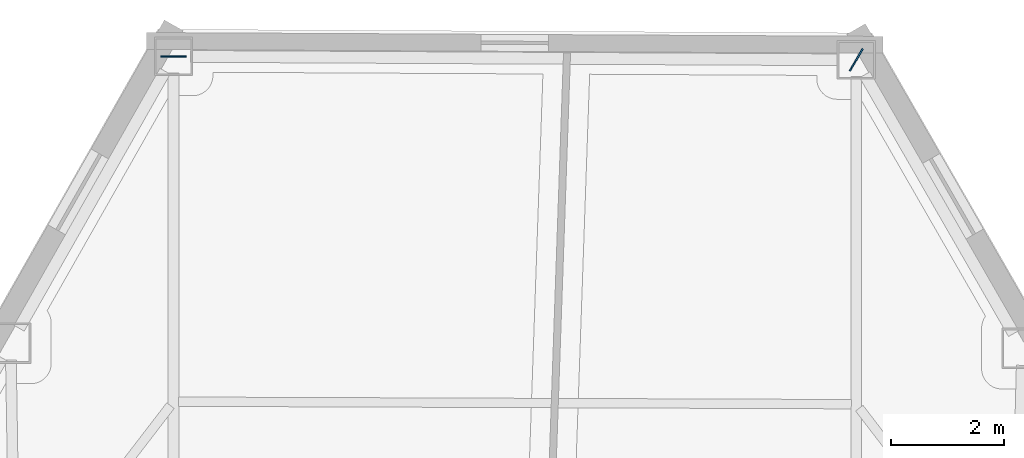
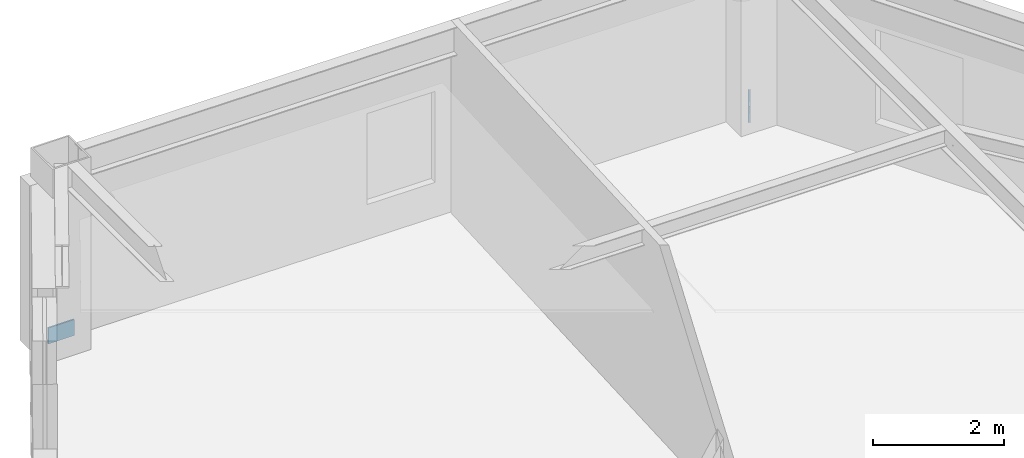
# One storey, part 7 of 13: 2 plates.
"""IFC4 building model written with IfcOpenShell, lengths in metres."""

from ifc_helpers import new_model, si_unit, direction, frame, origin, origin_2d, place, context, subcontext, project, spatial, rectangle, extrude, material, layer, layer_set, type_object, element, save


model = new_model("IFC4")

# Units and contexts
model_context = context("Model", 3, precision=1e-05, world=origin(), true_north=direction((0.0, 1.0)))
body_context = subcontext(model_context, "Body", "Model", "MODEL_VIEW")
ifc_project = project(units=[si_unit("LENGTHUNIT", "METRE"), si_unit("AREAUNIT", "SQUARE_METRE"), si_unit("VOLUMEUNIT", "CUBIC_METRE"), si_unit("PLANEANGLEUNIT", "RADIAN"), si_unit("MASSUNIT", "GRAM", prefix="KILO")], contexts=[model_context])

# Site, building, storey
site_placement = place(None, origin())
site = spatial("IfcSite", under=ifc_project, at=site_placement, CompositionType="ELEMENT")
building_placement = place(site_placement, origin())
building = spatial("IfcBuilding", under=site, at=building_placement, Name="Kavelnor Concourse Tower", CompositionType="ELEMENT")
storey_placement = place(building_placement, frame((0.0, 0.0, 100.89990234375)))
storey = spatial("IfcBuildingStorey", under=building, at=storey_placement, Name="L25", CompositionType="ELEMENT", Elevation=100.89990234375)

# Plates
ifc_material = material(Name="Steel Grade 350", Category="steel")
ifc_layer = layer(ifc_material, 0.028076171875, Name="Steel Grade 350")
ifc_layer_set = layer_set([ifc_layer], Name="Steel Grade 350")
plate_type = type_object("IfcPlateType", Name="PL-GUSSET-FOLD", PredefinedType="USERDEFINED", material=ifc_layer_set)
for number, where, z_axis, x_axis, name in (
    (1, (31.99072265625, 44.204345703125, 0.10009765625), (0.0, 0.0, 1.0), (1.0, 0.0, 0.0), "L25 Herringbone Corner-Fold Kink Gusset Plate F0-B0"),
    (2, (44.123291015625, 44.1416015625, 0.10009765625), (0.0, 0.0, 1.0), (-0.5, -0.866025403784, 0.0), "L25 Herringbone Corner-Fold Kink Gusset Plate F2-B6"),
):
    element("IfcPlate", number, at=place(storey_placement, frame(where, z_axis=z_axis, x_axis=x_axis)), inside=storey, type_object=plate_type, Name=name, ObjectType="GUSSET_PLATE", PredefinedType="USERDEFINED", context=body_context, shape_type="SweptSolid", body=[
        extrude(rectangle(XDim=0.4599609375, YDim=0.028076171875, at=origin_2d()), origin(), (0.0, 0.0, 1.0), 0.300048828125),
    ])

save(model, "model.ifc")
